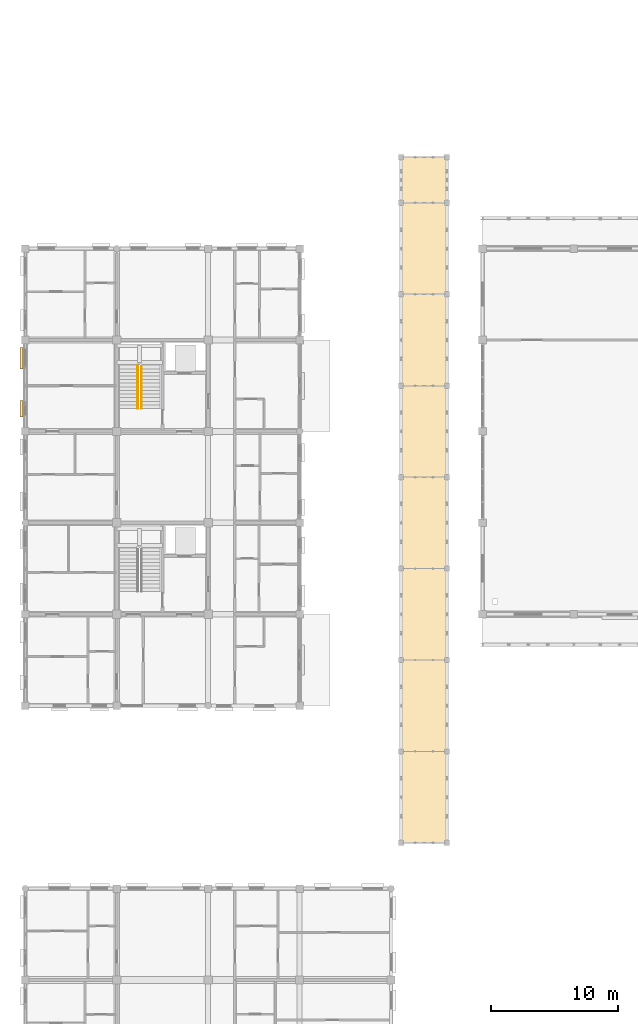
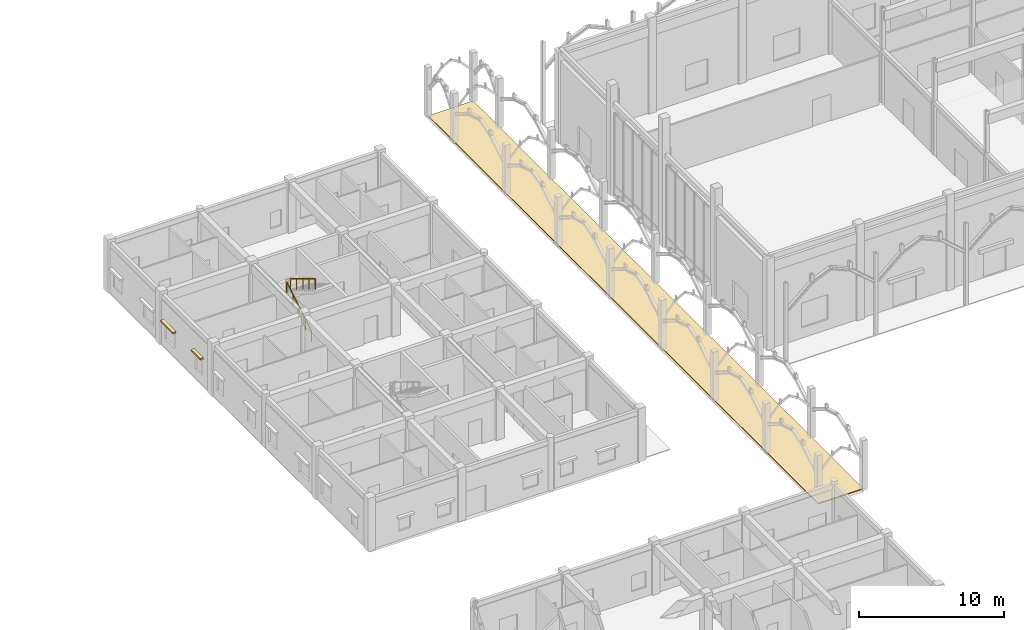
# One storey, part 130 of 138: 3 coverings, 2 railings.
"""IFC4 building model written with IfcOpenShell, lengths in metres."""

import ifcopenshell
import ifcopenshell.guid

model = None  # the IFC model being written
_history = None  # IfcOwnerHistory: only IFC2X3 demands one
_inside = {}  # id of a spatial element -> (the spatial element, [elements in it])
_under = {}  # id of a project, library or spatial element -> (it, [spatial elements below it])
_declared = {}  # id of a project -> (the project, [libraries it declares])
_typed = {}  # id of a type object -> (the type object, [elements of that type])
_made_of = {}  # id of a material, layer set ... -> (it, [elements and type objects made of it])


def new_model(schema):
    """Start an empty IFC model of exactly this schema.

    Asked for "IFC4X3", IfcOpenShell would pick the latest addendum, in which some entities
    have other attributes; the version numbers below select the first issue.
    IFC2X3 requires an IfcOwnerHistory on every rooted entity: one is made here for all.
    """
    global model, _history
    if schema == "IFC4X3":
        model = ifcopenshell.file(schema_version=(4, 3, 0, 0))
    else:
        model = ifcopenshell.file(schema=schema)
    _inside.clear()
    _under.clear()
    _declared.clear()
    _typed.clear()
    _made_of.clear()
    _history = None
    if model.schema == "IFC2X3":
        org = make("IfcOrganization", Name="unknown")
        user = make(
            "IfcPersonAndOrganization",
            ThePerson=make("IfcPerson", FamilyName="unknown"),
            TheOrganization=org,
        )
        app = make(
            "IfcApplication",
            ApplicationDeveloper=org,
            Version="unknown",
            ApplicationFullName="unknown",
            ApplicationIdentifier="unknown",
        )
        _history = make(
            "IfcOwnerHistory",
            OwningUser=user,
            OwningApplication=app,
            ChangeAction="ADDED",
            CreationDate=0,
        )
    return model


def make(cls, **values):
    """One entity of the class cls with the attributes given. An attribute that is None is left unset."""
    return model.create_entity(
        cls, **{name: value for name, value in values.items() if value is not None}
    )


def rooted(cls, **values):
    """An entity with a GlobalId (a new one), such as an element, a storey or a relation."""
    return make(cls, GlobalId=ifcopenshell.guid.new(), OwnerHistory=_history, **values)


def si_unit(unit_type, name, prefix=None):
    """IfcSIUnit, for example si_unit("LENGTHUNIT", "METRE", prefix="MILLI")."""
    return make("IfcSIUnit", UnitType=unit_type, Prefix=prefix, Name=name)


def assignment(units):
    """IfcUnitAssignment: the units of a project."""
    return None if units is None else make("IfcUnitAssignment", Units=units)


def point(xyz):
    """IfcCartesianPoint."""
    return None if xyz is None else make("IfcCartesianPoint", Coordinates=xyz)


def direction(xyz):
    """IfcDirection."""
    return None if xyz is None else make("IfcDirection", DirectionRatios=xyz)


def frame(location, z_axis=None, x_axis=None):
    """IfcAxis2Placement3D, a coordinate frame: its origin and axes. An axis left out is left unset."""
    return make(
        "IfcAxis2Placement3D",
        Location=point(location),
        Axis=direction(z_axis),
        RefDirection=direction(x_axis),
    )


def frame_2d(location, x_axis=None):
    """IfcAxis2Placement2D, a coordinate frame in the plane: its origin and x axis."""
    return make(
        "IfcAxis2Placement2D", Location=point(location), RefDirection=direction(x_axis)
    )


def origin():
    """The frame at (0, 0, 0) with its axes left unset."""
    return frame((0.0, 0.0, 0.0))


def origin_2d():
    """The frame at (0, 0) in the plane with its x axis left unset."""
    return frame_2d((0.0, 0.0))


def place(relative_to, where):
    """IfcLocalPlacement: puts the frame where relative to a parent placement (None: the world)."""
    return make(
        "IfcLocalPlacement", PlacementRelTo=relative_to, RelativePlacement=where
    )


def context(
    kind, dimensions, precision=None, world=None, true_north=None, identifier=None
):
    """IfcGeometricRepresentationContext, for example the 3D "Model" context."""
    return make(
        "IfcGeometricRepresentationContext",
        ContextIdentifier=identifier,
        ContextType=kind,
        CoordinateSpaceDimension=dimensions,
        Precision=precision,
        WorldCoordinateSystem=world,
        TrueNorth=true_north,
    )


def subcontext(parent, identifier, kind, view, scale=None):
    """IfcGeometricRepresentationSubContext, for example "Body" below "Model"."""
    return make(
        "IfcGeometricRepresentationSubContext",
        ContextIdentifier=identifier,
        ContextType=kind,
        ParentContext=parent,
        TargetScale=scale,
        TargetView=view,
    )


def project(units=None, contexts=None):
    """IfcProject with its units and contexts."""
    return rooted(
        "IfcProject",
        Name="project",
        RepresentationContexts=contexts,
        UnitsInContext=assignment(units),
    )


def spatial(cls, under=None, at=None, **own):
    """A site, building, storey or space (cls), placed at a placement, below another one or the project."""
    s = rooted(cls, ObjectPlacement=at, **own)
    if under is not None:
        _under.setdefault(under.id(), (under, []))[1].append(s)
    return s


def polyline(points):
    """IfcPolyline through the points."""
    return make("IfcPolyline", Points=[point(p) for p in points])


def profile(cls, at=None, kind="AREA", **sizes):
    """A parametric profile (cls). Its sizes go by their IFC names, for example OverallWidth=200.0."""
    return make(cls, ProfileType=kind, Position=at, **sizes)


def rectangle(**sizes):
    """IfcRectangleProfileDef."""
    return profile("IfcRectangleProfileDef", **sizes)


def circle(**sizes):
    """IfcCircleProfileDef."""
    return profile("IfcCircleProfileDef", **sizes)


def outline(outer, holes=None, kind="AREA"):
    """IfcArbitraryClosedProfileDef: a profile drawn as a closed curve; with holes, ...WithVoids."""
    if holes is None:
        return make("IfcArbitraryClosedProfileDef", ProfileType=kind, OuterCurve=outer)
    return make(
        "IfcArbitraryProfileDefWithVoids",
        ProfileType=kind,
        OuterCurve=outer,
        InnerCurves=holes,
    )


def extrude(swept, where, along, depth):
    """IfcExtrudedAreaSolid: the profile swept, set in the frame where, extruded along a direction by depth."""
    return make(
        "IfcExtrudedAreaSolid",
        SweptArea=swept,
        Position=where,
        ExtrudedDirection=direction(along),
        Depth=depth,
    )


def shape(context_of_items, identifier, shape_type, items):
    """IfcShapeRepresentation: the items that make up one representation, for example the "Body"."""
    return make(
        "IfcShapeRepresentation",
        ContextOfItems=context_of_items,
        RepresentationIdentifier=identifier,
        RepresentationType=shape_type,
        Items=items,
    )


def material(Name=None, Category=None):
    """IfcMaterial."""
    return make("IfcMaterial", Name=Name, Category=Category)


def layer(
    of_material, thickness, ventilated=None, Name=None, Category=None, Priority=None
):
    """IfcMaterialLayer: one layer of a wall or slab, of a material (None: an air gap)."""
    return make(
        "IfcMaterialLayer",
        Material=of_material,
        LayerThickness=thickness,
        IsVentilated=ventilated,
        Name=Name,
        Category=Category,
        Priority=Priority,
    )


def layer_set(layers, Name=None):
    """IfcMaterialLayerSet."""
    return make("IfcMaterialLayerSet", MaterialLayers=layers, LayerSetName=Name)


def made_of(thing, what):
    """Note that an element or type object is made of a material, layer set ...; save() writes the relation."""
    if what is not None:
        _made_of.setdefault(what.id(), (what, []))[1].append(thing)
    return thing


def type_object(cls, material=None, **own):
    """A type object (cls), such as IfcWallType, which elements share."""
    return made_of(rooted(cls, **own), material)


def element(
    cls,
    number,
    at=None,
    inside=None,
    cuts=None,
    type_object=None,
    material=None,
    context=None,
    identifier="Body",
    shape_type=None,
    held_by="IfcProductDefinitionShape",
    body=None,
    shapes=None,
    **own,
):
    """One element of the class cls, such as IfcWall. Its Tag is "e" and its number.

    at: its placement. inside: the storey or other place that contains it. cuts: it is an
    opening in that element (IfcRelVoidsElement). A single representation is given by context,
    identifier, shape_type and body (its items); several are given by shapes. held_by: the class
    of the entity that holds the representations. save() writes the other relations.
    """
    e = rooted(cls, Tag="e%d" % number, ObjectPlacement=at, **own)
    if body is not None:
        shapes = [shape(context, identifier, shape_type, body)]
    if shapes is not None:
        e.Representation = make(held_by, Representations=shapes)
    if inside is not None:
        _inside.setdefault(inside.id(), (inside, []))[1].append(e)
    if cuts is not None:
        rooted(
            "IfcRelVoidsElement", RelatingBuildingElement=cuts, RelatedOpeningElement=e
        )
    if type_object is not None:
        _typed.setdefault(type_object.id(), (type_object, []))[1].append(e)
    return made_of(e, material)


def aggregate(whole, parts):
    """IfcRelAggregates: a whole, such as a stair, and the parts it consists of."""
    return rooted("IfcRelAggregates", RelatingObject=whole, RelatedObjects=parts)


def save(model, path):
    """Write the relations noted so far, then the file.

    IfcRelAggregates (storeys below a building ...), IfcRelContainedInSpatialStructure (elements
    in a storey), IfcRelDefinesByType, IfcRelAssociatesMaterial and IfcRelDeclares: one each for
    every whole, place, type object, material and project.
    """
    for whole, parts in _under.values():
        aggregate(whole, parts)
    for where, things in _inside.values():
        rooted(
            "IfcRelContainedInSpatialStructure",
            RelatedElements=things,
            RelatingStructure=where,
        )
    for kind, things in _typed.values():
        rooted("IfcRelDefinesByType", RelatedObjects=things, RelatingType=kind)
    for what, things in _made_of.values():
        rooted("IfcRelAssociatesMaterial", RelatedObjects=things, RelatingMaterial=what)
    for by, libraries in _declared.values():
        rooted("IfcRelDeclares", RelatingContext=by, RelatedDefinitions=libraries)
    model.write(path)


model = new_model("IFC4")

# Units and contexts
model_context = context("Model", 3, precision=1e-05, world=origin(), true_north=direction((0.0, 1.0)))
body_context = subcontext(model_context, "Body", "Model", "MODEL_VIEW")
ifc_project = project(units=[si_unit("LENGTHUNIT", "METRE"), si_unit("AREAUNIT", "SQUARE_METRE"), si_unit("VOLUMEUNIT", "CUBIC_METRE"), si_unit("PLANEANGLEUNIT", "RADIAN"), si_unit("MASSUNIT", "GRAM", prefix="KILO"), si_unit("THERMODYNAMICTEMPERATUREUNIT", "KELVIN"), si_unit("POWERUNIT", "WATT")], contexts=[model_context])

# Site, building, storey
site_placement = place(None, origin())
site = spatial("IfcSite", under=ifc_project, at=site_placement, CompositionType="ELEMENT")
building_placement = place(site_placement, origin())
building = spatial("IfcBuilding", under=site, at=building_placement, Name="Tavuni Mirador Residences", CompositionType="ELEMENT")
storey_placement = place(building_placement, origin())
storey = spatial("IfcBuildingStorey", under=building, at=storey_placement, Name="L00", CompositionType="ELEMENT", Elevation=0.0)

# Coverings
ifc_material_1 = material(Name="Natural coral limestone", Category="masonry")
ifc_layer_1 = layer(ifc_material_1, 0.054931640625, Name="Natural coral limestone", Category="masonry")
ifc_layer_set_1 = layer_set([ifc_layer_1], Name="Natural coral limestone")
covering_type_1 = type_object("IfcCoveringType", Name="CVT-CLAD-CORAL", PredefinedType="CLADDING", material=ifc_layer_set_1)
covering_1_placement = place(storey_placement, frame((3.305419921875, 92.159912109375, 2.1650390625), z_axis=(0.0, 0.0, 1.0), x_axis=(0.0, -1.0, 0.0)))
element("IfcCovering", 1, at=covering_1_placement, inside=storey, type_object=covering_type_1, Name="HOOD-0334", PredefinedType="CLADDING", context=body_context, shape_type="SweptSolid", body=[
    extrude(rectangle(XDim=1.719970703125, YDim=0.25, at=origin_2d()), origin(), (0.0, 0.0, 1.0), 0.14990234375),
])
covering_2_placement = place(storey_placement, frame((3.305419921875, 88.179931640625, 2.2451171875), z_axis=(0.0, 0.0, 1.0), x_axis=(0.0, -1.0, 0.0)))
element("IfcCovering", 2, at=covering_2_placement, inside=storey, type_object=covering_type_1, Name="HOOD-0335", PredefinedType="CLADDING", context=body_context, shape_type="SweptSolid", body=[
    extrude(rectangle(XDim=1.280029296875, YDim=0.25, at=origin_2d()), origin(), (0.0, 0.0, 1.0), 0.14990234375),
])
ifc_material_2 = material(Name="Dressed coral-stone paving", Category="masonry")
ifc_layer_2 = layer(ifc_material_2, 0.080078125, Name="Dressed coral-stone paving", Category="masonry")
ifc_layer_set_2 = layer_set([ifc_layer_2], Name="Dressed coral-stone paving")
covering_type_2 = type_object("IfcCoveringType", Name="CVT-PAV-COURT", PredefinedType="USERDEFINED", material=ifc_layer_set_2)
covering_3_placement = place(storey_placement, frame((0.0, 0.0, -0.080078125)))
element("IfcCovering", 3, at=covering_3_placement, inside=storey, type_object=covering_type_2, Name="PAV-COLO-WALK", ObjectType="PAVING", PredefinedType="USERDEFINED", context=body_context, shape_type="SweptSolid", body=[
    extrude(outline(polyline([(33.199951171875, 54.0), (36.800048828125, 54.0), (36.800048828125, 108.0), (33.199951171875, 108.0), (33.199951171875, 54.0)])), origin(), (0.0, 0.0, 1.0), 0.080078125),
])

# Railings
ifc_material_3 = material(Name="Structural steel S355", Category="steel")
railing_type = type_object("IfcRailingType", Name="RT-HR920", PredefinedType="HANDRAIL", material=ifc_material_3)
railing_1_placement = place(storey_placement, frame((12.449951171875, 88.199951171875, 0.173095703125)))
element("IfcRailing", 4, at=railing_1_placement, inside=storey, type_object=railing_type, Name="HR-ST4-L00-F1", PredefinedType="HANDRAIL", context=body_context, shape_type="SweptSolid", body=[
    extrude(circle(Radius=0.02392578125, at=origin_2d()), frame((0.0, 0.0, 0.89599609375), z_axis=(0.0, 0.854745945586, 0.519046595696), x_axis=(-1.0, 0.0, 0.0)), (0.0, 0.0, 1.0), 4.00146484375),
    extrude(circle(Radius=0.02099609375, at=origin_2d()), origin(), (0.0, 0.0, 1.0), 0.871826171875),
    extrude(circle(Radius=0.02099609375, at=origin_2d()), frame((0.0, 0.85498046875, 0.519287109375)), (0.0, 0.0, 1.0), 0.871826171875),
    extrude(circle(Radius=0.02099609375, at=origin_2d()), frame((0.0, 1.7099609375, 1.03857421875)), (0.0, 0.0, 1.0), 0.871826171875),
    extrude(circle(Radius=0.02099609375, at=origin_2d()), frame((0.0, 2.565185546875, 1.5576171875)), (0.0, 0.0, 1.0), 0.871826171875),
    extrude(circle(Radius=0.02099609375, at=origin_2d()), frame((0.0, 3.420166015625, 2.076904296875)), (0.0, 0.0, 1.0), 0.871826171875),
])
railing_2_placement = place(storey_placement, frame((12.75, 91.6201171875, 2.423095703125)))
element("IfcRailing", 5, at=railing_2_placement, inside=storey, type_object=railing_type, Name="HR-ST4-L00-F2", PredefinedType="HANDRAIL", context=body_context, shape_type="SweptSolid", body=[
    extrude(circle(Radius=0.02392578125, at=origin_2d()), frame((0.0, 0.0, 0.89599609375), z_axis=(0.0, -0.854745945586, 0.519046595696), x_axis=(1.0, 0.0, 0.0)), (0.0, 0.0, 1.0), 4.00146484375),
    extrude(circle(Radius=0.02099609375, at=origin_2d()), origin(), (0.0, 0.0, 1.0), 0.871826171875),
    extrude(circle(Radius=0.02099609375, at=origin_2d()), frame((0.0, -0.85498046875, 0.519287109375)), (0.0, 0.0, 1.0), 0.871826171875),
    extrude(circle(Radius=0.02099609375, at=origin_2d()), frame((0.0, -1.7099609375, 1.03857421875)), (0.0, 0.0, 1.0), 0.871826171875),
    extrude(circle(Radius=0.02099609375, at=origin_2d()), frame((0.0, -2.565185546875, 1.5576171875)), (0.0, 0.0, 1.0), 0.871826171875),
    extrude(circle(Radius=0.02099609375, at=origin_2d()), frame((0.0, -3.420166015625, 2.076904296875)), (0.0, 0.0, 1.0), 0.871826171875),
])

save(model, "model.ifc")
